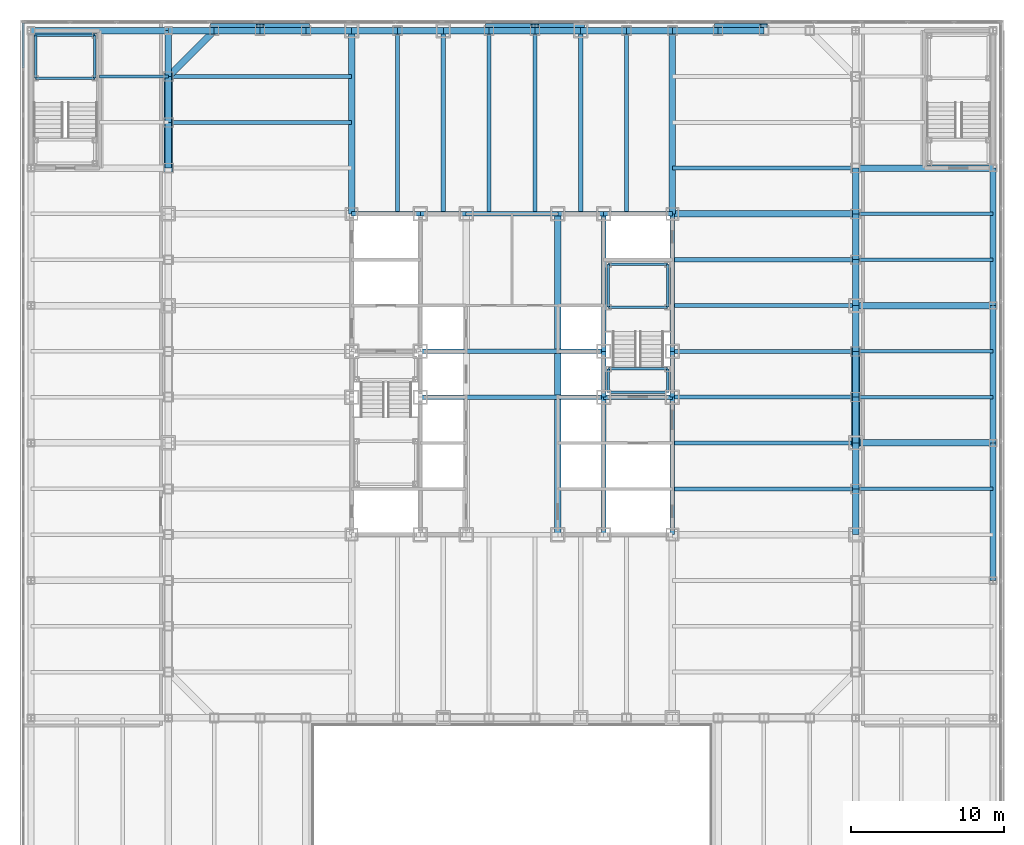
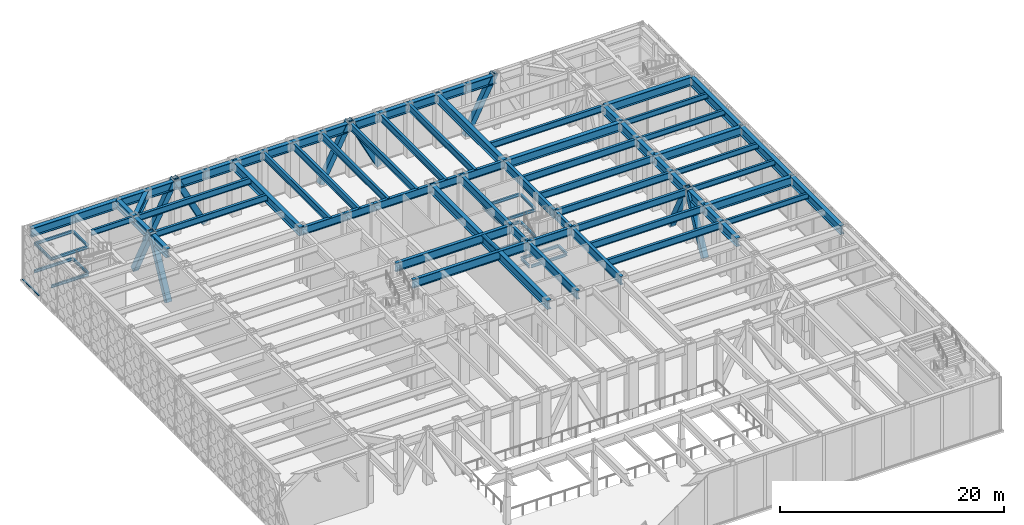
# One storey, part 7 of 32: 92 beams, 10 members, 1 element without a shape of its own.
"""IFC4 building model written with IfcOpenShell, lengths in metres."""

from ifc_helpers import new_model, si_unit, direction, frame, origin, origin_2d, place, context, subcontext, project, spatial, rectangle, hollow_rectangle, i_section, extrude, material, layer, layer_set, material_profile, profile_set, type_object, element, aggregate, save


model = new_model("IFC4")

# Units and contexts
model_context = context("Model", 3, precision=1e-05, world=origin(), true_north=direction((0.0, 1.0)))
body_context = subcontext(model_context, "Body", "Model", "MODEL_VIEW")
ifc_project = project(units=[si_unit("LENGTHUNIT", "METRE"), si_unit("AREAUNIT", "SQUARE_METRE"), si_unit("VOLUMEUNIT", "CUBIC_METRE"), si_unit("PLANEANGLEUNIT", "RADIAN"), si_unit("MASSUNIT", "GRAM", prefix="KILO")], contexts=[model_context])

# Site, building, storey
site_placement = place(None, origin())
site = spatial("IfcSite", under=ifc_project, at=site_placement, CompositionType="ELEMENT")
building_placement = place(site_placement, origin())
building = spatial("IfcBuilding", under=site, at=building_placement, Name="Chuquiago Exchange Tower", CompositionType="ELEMENT")
storey_placement = place(building_placement, frame((0.0, 0.0, 13.5)))
storey = spatial("IfcBuildingStorey", under=building, at=storey_placement, Name="L02", CompositionType="ELEMENT", Elevation=13.5)

# Beams
ifc_material_1 = material(Name="Steel ASTM A992", Category="steel")
ifc_material_profile_1 = material_profile(ifc_material_1, i_section(OverallWidth=0.307373046875, OverallDepth=0.927001953125, WebThickness=0.01953125, FlangeThickness=0.031982421875, at=origin_2d()), Name="W36X194")
ifc_profile_set_1 = profile_set([ifc_material_profile_1], Name="Steel ASTM A992")
beam_type_1 = type_object("IfcBeamType", Name="B10 W36X194", PredefinedType="BEAM", material=ifc_profile_set_1)
for number, where, z_axis, x_axis, name in (
    (1, (28.5, 12.0, 5.33642578125), (0.0, 1.0, 0.0), (-1.0, 0.0, 0.0), "CB-L03-28.5_12-28.5_21"),
    (2, (28.5, 24.0, 5.33642578125), (0.0, 1.0, 0.0), (-1.0, 0.0, 0.0), "CB-L03-28.5_24-28.5_33"),
    (3, (33.0, 12.0, 5.33642578125), (0.0, 1.0, 0.0), (-1.0, 0.0, 0.0), "CB-L03-33_12-33_21"),
    (4, (33.0, 24.0, 5.33642578125), (0.0, 1.0, 0.0), (-1.0, 0.0, 0.0), "CB-L03-33_24-33_33"),
):
    element("IfcBeam", number, at=place(storey_placement, frame(where, z_axis=z_axis, x_axis=x_axis)), inside=storey, type_object=beam_type_1, Name=name, PredefinedType="BEAM", context=body_context, shape_type="SweptSolid", body=[
        extrude(i_section(OverallWidth=0.307373046875, OverallDepth=0.927001953125, WebThickness=0.01953125, FlangeThickness=0.031982421875, at=origin_2d()), origin(), (0.0, 0.0, 1.0), 9.0),
    ])
ifc_material_2 = material(Name="Steel ASTM A992", Category="steel")
ifc_material_profile_2 = material_profile(ifc_material_2, i_section(OverallWidth=0.309814453125, OverallDepth=0.949951171875, WebThickness=0.0244140625, FlangeThickness=0.0439453125, at=origin_2d()), Name="W36X256")
ifc_profile_set_2 = profile_set([ifc_material_profile_2], Name="Steel ASTM A992")
beam_type_2 = type_object("IfcBeamType", Name="B11 W36X256", PredefinedType="BEAM", material=ifc_profile_set_2)
for number, where, z_axis, x_axis, name in (
    (5, (16.5, 21.0, 5.324951171875), (1.0, 0.0, 0.0), (0.0, 1.0, 0.0), "CB-L03-16.5_21-28.5_21"),
    (6, (16.5, 24.0, 5.324951171875), (1.0, 0.0, 0.0), (0.0, 1.0, 0.0), "CB-L03-16.5_24-28.5_24"),
):
    element("IfcBeam", number, at=place(storey_placement, frame(where, z_axis=z_axis, x_axis=x_axis)), inside=storey, type_object=beam_type_2, Name=name, PredefinedType="BEAM", context=body_context, shape_type="SweptSolid", body=[
        extrude(i_section(OverallWidth=0.309814453125, OverallDepth=0.949951171875, WebThickness=0.0244140625, FlangeThickness=0.0439453125, at=origin_2d()), origin(), (0.0, 0.0, 1.0), 12.0),
    ])
ifc_material_3 = material(Name="Steel ASTM A992", Category="steel")
ifc_material_profile_3 = material_profile(ifc_material_3, i_section(OverallWidth=0.4267578125, OverallDepth=0.975341796875, WebThickness=0.031005859375, FlangeThickness=0.055908203125, at=origin_2d()), Name="W36X395")
ifc_profile_set_3 = profile_set([ifc_material_profile_3], Name="Steel ASTM A992")
beam_type_3 = type_object("IfcBeamType", Name="B12 W36X395", PredefinedType="BEAM", material=ifc_profile_set_3)
beam_1_placement = place(storey_placement, frame((25.5, 12.0, 5.312255859375), z_axis=(0.0, 1.0, 0.0), x_axis=(-1.0, 0.0, 0.0)))
element("IfcBeam", 7, at=beam_1_placement, inside=storey, type_object=beam_type_3, Name="CB-L03-25.5_12-25.5_20.8451", PredefinedType="BEAM", context=body_context, shape_type="SweptSolid", body=[
    extrude(i_section(OverallWidth=0.4267578125, OverallDepth=0.975341796875, WebThickness=0.031005859375, FlangeThickness=0.055908203125, at=origin_2d()), origin(), (0.0, 0.0, 1.0), 8.84521484375),
])
beam_2_placement = place(storey_placement, frame((25.5, 21.15478515625, 5.312255859375), z_axis=(0.0, 1.0, 0.0), x_axis=(-1.0, 0.0, 0.0)))
element("IfcBeam", 8, at=beam_2_placement, inside=storey, type_object=beam_type_3, Name="CB-L03-25.5_21.1549-25.5_23.8451", PredefinedType="BEAM", context=body_context, shape_type="SweptSolid", body=[
    extrude(i_section(OverallWidth=0.4267578125, OverallDepth=0.975341796875, WebThickness=0.031005859375, FlangeThickness=0.055908203125, at=origin_2d()), origin(), (0.0, 0.0, 1.0), 2.6904296875),
])
beam_3_placement = place(storey_placement, frame((25.5, 24.15478515625, 5.312255859375), z_axis=(0.0, 1.0, 0.0), x_axis=(-1.0, 0.0, 0.0)))
element("IfcBeam", 9, at=beam_3_placement, inside=storey, type_object=beam_type_3, Name="CB-L03-25.5_24.1549-25.5_33", PredefinedType="BEAM", context=body_context, shape_type="SweptSolid", body=[
    extrude(i_section(OverallWidth=0.4267578125, OverallDepth=0.975341796875, WebThickness=0.031005859375, FlangeThickness=0.055908203125, at=origin_2d()), origin(), (0.0, 0.0, 1.0), 8.84521484375),
])
ifc_material_4 = material(Name="Steel ASTM A992", Category="steel")
ifc_material_profile_4 = material_profile(ifc_material_4, i_section(OverallWidth=0.2919921875, OverallDepth=0.8583984375, WebThickness=0.01708984375, FlangeThickness=0.031005859375, at=origin_2d()), Name="W33X169")
ifc_profile_set_4 = profile_set([ifc_material_profile_4], Name="Steel ASTM A992")
beam_type_4 = type_object("IfcBeamType", Name="B3 W33X169", PredefinedType="BEAM", material=ifc_profile_set_4)
for number, where, z_axis, x_axis, name in (
    (10, (28.5, 21.0, 5.37060546875), (0.0, 1.0, 0.0), (-1.0, 0.0, 0.0), "CB-L03-28.5_21-28.5_24"),
    (11, (33.0, 21.0, 5.37060546875), (0.0, 1.0, 0.0), (-1.0, 0.0, 0.0), "CB-L03-33_21-33_24"),
):
    element("IfcBeam", number, at=place(storey_placement, frame(where, z_axis=z_axis, x_axis=x_axis)), inside=storey, type_object=beam_type_4, Name=name, PredefinedType="BEAM", context=body_context, shape_type="SweptSolid", body=[
        extrude(i_section(OverallWidth=0.2919921875, OverallDepth=0.8583984375, WebThickness=0.01708984375, FlangeThickness=0.031005859375, at=origin_2d()), origin(), (0.0, 0.0, 1.0), 3.0),
    ])
for number, where, z_axis, x_axis, name in (
    (12, (28.5, 21.0, 5.37060546875), (1.0, 0.0, 0.0), (0.0, 1.0, 0.0), "CB-L03-28.5_21-33_21"),
    (13, (12.0, 33.0, 5.37060546875), (1.0, 0.0, 0.0), (0.0, 1.0, 0.0), "CB-L03-12_33-16.5_33"),
):
    element("IfcBeam", number, at=place(storey_placement, frame(where, z_axis=z_axis, x_axis=x_axis)), inside=storey, type_object=beam_type_4, Name=name, PredefinedType="BEAM", context=body_context, shape_type="SweptSolid", body=[
        extrude(i_section(OverallWidth=0.2919921875, OverallDepth=0.8583984375, WebThickness=0.01708984375, FlangeThickness=0.031005859375, at=origin_2d()), origin(), (0.0, 0.0, 1.0), 4.5),
    ])
beam_4_placement = place(storey_placement, frame((16.5, 33.0, 5.37060546875), z_axis=(1.0, 0.0, 0.0), x_axis=(0.0, 1.0, 0.0)))
element("IfcBeam", 14, at=beam_4_placement, inside=storey, type_object=beam_type_4, Name="CB-L03-16.5_33-19.5_33", PredefinedType="BEAM", context=body_context, shape_type="SweptSolid", body=[
    extrude(i_section(OverallWidth=0.2919921875, OverallDepth=0.8583984375, WebThickness=0.01708984375, FlangeThickness=0.031005859375, at=origin_2d()), origin(), (0.0, 0.0, 1.0), 3.0),
])
beam_5_placement = place(storey_placement, frame((19.5, 33.0, 5.37060546875), z_axis=(1.0, 0.0, 0.0), x_axis=(0.0, 1.0, 0.0)))
element("IfcBeam", 15, at=beam_5_placement, inside=storey, type_object=beam_type_4, Name="CB-L03-19.5_33-25.5_33", PredefinedType="BEAM", context=body_context, shape_type="SweptSolid", body=[
    extrude(i_section(OverallWidth=0.2919921875, OverallDepth=0.8583984375, WebThickness=0.01708984375, FlangeThickness=0.031005859375, at=origin_2d()), origin(), (0.0, 0.0, 1.0), 6.0),
])
beam_6_placement = place(storey_placement, frame((25.5, 33.0, 5.37060546875), z_axis=(1.0, 0.0, 0.0), x_axis=(0.0, 1.0, 0.0)))
element("IfcBeam", 16, at=beam_6_placement, inside=storey, type_object=beam_type_4, Name="CB-L03-25.5_33-28.5_33", PredefinedType="BEAM", context=body_context, shape_type="SweptSolid", body=[
    extrude(i_section(OverallWidth=0.2919921875, OverallDepth=0.8583984375, WebThickness=0.01708984375, FlangeThickness=0.031005859375, at=origin_2d()), origin(), (0.0, 0.0, 1.0), 3.0),
])
beam_7_placement = place(storey_placement, frame((28.5, 33.0, 5.37060546875), z_axis=(1.0, 0.0, 0.0), x_axis=(0.0, 1.0, 0.0)))
element("IfcBeam", 17, at=beam_7_placement, inside=storey, type_object=beam_type_4, Name="CB-L03-28.5_33-33_33", PredefinedType="BEAM", context=body_context, shape_type="SweptSolid", body=[
    extrude(i_section(OverallWidth=0.2919921875, OverallDepth=0.8583984375, WebThickness=0.01708984375, FlangeThickness=0.031005859375, at=origin_2d()), origin(), (0.0, 0.0, 1.0), 4.5),
])
ifc_material_5 = material(Name="Steel ASTM A992", Category="steel")
ifc_material_profile_5 = material_profile(ifc_material_5, i_section(OverallWidth=0.2666015625, OverallDepth=0.761962890625, WebThickness=0.014404296875, FlangeThickness=0.021484375, at=origin_2d()), Name="W30X116")
ifc_profile_set_5 = profile_set([ifc_material_profile_5], Name="Steel ASTM A992")
beam_type_5 = type_object("IfcBeamType", Name="B8 W30X116", PredefinedType="BEAM", material=ifc_profile_set_5)
for number, where, z_axis, x_axis, name in (
    (18, (15.0, 33.0, 5.4189453125), (0.0, 1.0, 0.0), (-1.0, 0.0, 0.0), "FB-L03-infill-15_33-15_45-0"),
    (19, (18.0, 33.0, 5.4189453125), (0.0, 1.0, 0.0), (-1.0, 0.0, 0.0), "FB-L03-infill-18_33-18_45-0"),
    (20, (21.0, 33.0, 5.4189453125), (0.0, 1.0, 0.0), (-1.0, 0.0, 0.0), "FB-L03-infill-21_33-21_45-0"),
    (21, (24.0, 33.0, 5.4189453125), (0.0, 1.0, 0.0), (-1.0, 0.0, 0.0), "FB-L03-infill-24_33-24_45-0"),
    (22, (27.0, 33.0, 5.4189453125), (0.0, 1.0, 0.0), (-1.0, 0.0, 0.0), "FB-L03-infill-27_33-27_45-0"),
    (23, (30.0, 33.0, 5.4189453125), (0.0, 1.0, 0.0), (-1.0, 0.0, 0.0), "FB-L03-infill-30_33-30_45-0"),
    (24, (33.0, 15.0, 5.4189453125), (1.0, 0.0, 0.0), (0.0, 1.0, 0.0), "FB-L03-infill-33_15-45_15-0"),
    (25, (33.0, 18.0, 5.4189453125), (1.0, 0.0, 0.0), (0.0, 1.0, 0.0), "FB-L03-infill-33_18-45_18-0"),
    (26, (33.0, 21.0, 5.4189453125), (1.0, 0.0, 0.0), (0.0, 1.0, 0.0), "FB-L03-infill-33_21-45_21-0"),
    (27, (33.0, 24.0, 5.4189453125), (1.0, 0.0, 0.0), (0.0, 1.0, 0.0), "FB-L03-infill-33_24-45_24-0"),
    (28, (33.0, 27.0, 5.4189453125), (1.0, 0.0, 0.0), (0.0, 1.0, 0.0), "FB-L03-infill-33_27-45_27-0"),
    (29, (33.0, 30.0, 5.4189453125), (1.0, 0.0, 0.0), (0.0, 1.0, 0.0), "FB-L03-infill-33_30-45_30-0"),
):
    element("IfcBeam", number, at=place(storey_placement, frame(where, z_axis=z_axis, x_axis=x_axis)), inside=storey, type_object=beam_type_5, Name=name, PredefinedType="BEAM", context=body_context, shape_type="SweptSolid", body=[
        extrude(i_section(OverallWidth=0.2666015625, OverallDepth=0.761962890625, WebThickness=0.014404296875, FlangeThickness=0.021484375, at=origin_2d()), origin(), (0.0, 0.0, 1.0), 12.0),
    ])
ifc_material_6 = material(Name="Steel ASTM A992", Category="steel")
ifc_material_profile_6 = material_profile(ifc_material_6, i_section(OverallWidth=0.256591796875, OverallDepth=0.693359375, WebThickness=0.014404296875, FlangeThickness=0.023681640625, at=origin_2d()), Name="W27X114")
ifc_profile_set_6 = profile_set([ifc_material_profile_6], Name="Steel ASTM A992")
beam_type_6 = type_object("IfcBeamType", Name="B9 W27X114", PredefinedType="BEAM", material=ifc_profile_set_6)
for number, where, z_axis, x_axis, name in (
    (30, (12.0, 39.0, 5.453369140625), (-1.0, 0.0, 0.0), (0.0, -1.0, 0.0), "FB-L03-corner-12_39--0_39-0"),
    (31, (12.0, 42.0, 5.453369140625), (-1.0, 0.0, 0.0), (0.0, -1.0, 0.0), "FB-L03-corner-12_42--0_42-0"),
    (32, (33.0, 36.0, 5.453369140625), (1.0, 0.0, 0.0), (0.0, 1.0, 0.0), "FB-L03-corner-33_36-45_36-0"),
):
    element("IfcBeam", number, at=place(storey_placement, frame(where, z_axis=z_axis, x_axis=x_axis)), inside=storey, type_object=beam_type_6, Name=name, PredefinedType="BEAM", context=body_context, shape_type="SweptSolid", body=[
        extrude(i_section(OverallWidth=0.256591796875, OverallDepth=0.693359375, WebThickness=0.014404296875, FlangeThickness=0.023681640625, at=origin_2d()), origin(), (0.0, 0.0, 1.0), 12.0),
    ])

# Curtain wall, member
ifc_material_7 = material(Name="Aluminium curtain wall system", Category="aluminium")
ifc_layer = layer(ifc_material_7, 0.300048828125)
ifc_layer_set = layer_set([ifc_layer], Name="CW4 podium curtain wall")
curtain_wall_type = type_object("IfcCurtainWallType", Name="CW4 podium curtain wall", PredefinedType="NOTDEFINED", material=ifc_layer_set)
curtain_wall_placement = place(storey_placement, origin())
curtain_wall = element("IfcCurtainWall", 33, at=curtain_wall_placement, inside=storey, type_object=curtain_wall_type, Name="CW4 curtain wall L02", PredefinedType="NOTDEFINED")
ifc_material_8 = material(Name="Aluminium transom, pale anodised", Category="aluminium")
ifc_material_profile_7 = material_profile(ifc_material_8, rectangle(XDim=0.179931640625, YDim=0.074951171875, at=origin_2d()), Name="AL 180x75")
ifc_profile_set_7 = profile_set([ifc_material_profile_7], Name="Aluminium transom, pale anodised")
member_type_1 = type_object("IfcMemberType", Name="CW4-T transom 75x180", PredefinedType="MULLION", material=ifc_profile_set_7)
member_placement = place(storey_placement, frame((-9.5, 45.5, 0.03759765625), z_axis=(0.0, -1.0, 0.0), x_axis=(1.0, 0.0, 0.0)))
member = element("IfcMember", 34, at=member_placement, type_object=member_type_1, Name="CW4 transom 1.1", PredefinedType="MULLION", context=body_context, shape_type="SweptSolid", body=[
    extrude(rectangle(XDim=0.179931640625, YDim=0.074951171875, at=origin_2d()), origin(), (0.0, 0.0, 1.0), 2.938720703125),
])
aggregate(curtain_wall, [member])

# Beams
ifc_material_9 = material(Name="Steel ASTM A992", Category="steel")
ifc_material_profile_8 = material_profile(ifc_material_9, i_section(OverallWidth=0.424072265625, OverallDepth=0.947509765625, WebThickness=0.02392578125, FlangeThickness=0.042724609375, at=origin_2d()), Name="W36X302")
ifc_profile_set_8 = profile_set([ifc_material_profile_8], Name="Steel ASTM A992")
beam_type_7 = type_object("IfcBeamType", Name="G4 W36X302", PredefinedType="BEAM", material=ifc_profile_set_8)
for number, where, z_axis, x_axis, name in (
    (35, (12.0, 33.0, 5.326416015625), (0.0, 1.0, 0.0), (-1.0, 0.0, 0.0), "FB-L03-girder-12_33-12_45-0"),
    (36, (33.0, 33.0, 5.326416015625), (0.0, 1.0, 0.0), (-1.0, 0.0, 0.0), "FB-L03-girder-33_33-33_45-0"),
    (37, (33.0, 33.0, 5.326416015625), (1.0, 0.0, 0.0), (0.0, 1.0, 0.0), "FB-L03-girder-33_33-45_33-0"),
):
    element("IfcBeam", number, at=place(storey_placement, frame(where, z_axis=z_axis, x_axis=x_axis)), inside=storey, type_object=beam_type_7, Name=name, PredefinedType="BEAM", context=body_context, shape_type="SweptSolid", body=[
        extrude(i_section(OverallWidth=0.424072265625, OverallDepth=0.947509765625, WebThickness=0.02392578125, FlangeThickness=0.042724609375, at=origin_2d()), origin(), (0.0, 0.0, 1.0), 12.0),
    ])
ifc_material_10 = material(Name="Steel ASTM A992", Category="steel")
ifc_material_profile_9 = material_profile(ifc_material_10, i_section(OverallWidth=0.164794921875, OverallDepth=0.309814453125, WebThickness=0.005859375, FlangeThickness=0.009765625, at=origin_2d()), Name="W12X26")
ifc_profile_set_9 = profile_set([ifc_material_profile_9], Name="Steel ASTM A992")
beam_type_8 = type_object("IfcBeamType", Name="LS1 W12X26", PredefinedType="BEAM", material=ifc_profile_set_9)
for number, where, z_axis, x_axis, name in (
    (38, (28.81005859375, 26.889892578125, 1.14501953125), (0.0, 1.0, 0.0), (-1.0, 0.0, 0.0), "Stair ST2 L02 landing 1 stringer"),
    (39, (32.68994140625, 26.889892578125, 1.14501953125), (0.0, 1.0, 0.0), (-1.0, 0.0, 0.0), "Stair ST2 L02 landing 1 stringer"),
):
    element("IfcBeam", number, at=place(storey_placement, frame(where, z_axis=z_axis, x_axis=x_axis)), inside=storey, type_object=beam_type_8, Name=name, PredefinedType="BEAM", context=body_context, shape_type="SweptSolid", body=[
        extrude(i_section(OverallWidth=0.164794921875, OverallDepth=0.309814453125, WebThickness=0.005859375, FlangeThickness=0.009765625, at=origin_2d()), origin(), (0.0, 0.0, 1.0), 2.800048828125),
    ])
for number, where, z_axis, x_axis, name in (
    (40, (28.81005859375, 21.31005859375, 2.64501953125), (0.0, 1.0, 0.0), (-1.0, 0.0, 0.0), "Stair ST2 L02 landing 2 stringer"),
    (41, (32.68994140625, 21.31005859375, 2.64501953125), (0.0, 1.0, 0.0), (-1.0, 0.0, 0.0), "Stair ST2 L02 landing 2 stringer"),
):
    element("IfcBeam", number, at=place(storey_placement, frame(where, z_axis=z_axis, x_axis=x_axis)), inside=storey, type_object=beam_type_8, Name=name, PredefinedType="BEAM", context=body_context, shape_type="SweptSolid", body=[
        extrude(i_section(OverallWidth=0.164794921875, OverallDepth=0.309814453125, WebThickness=0.005859375, FlangeThickness=0.009765625, at=origin_2d()), origin(), (0.0, 0.0, 1.0), 1.5400390625),
    ])
for number, where, z_axis, x_axis, name in (
    (42, (28.81005859375, 26.889892578125, 4.14501953125), (0.0, 1.0, 0.0), (-1.0, 0.0, 0.0), "Stair ST2 L02 landing 3 stringer"),
    (43, (32.68994140625, 26.889892578125, 4.14501953125), (0.0, 1.0, 0.0), (-1.0, 0.0, 0.0), "Stair ST2 L02 landing 3 stringer"),
    (44, (-4.81005859375, 41.889892578125, 1.14501953125), (0.0, 1.0, 0.0), (-1.0, 0.0, 0.0), "Stair PS3 L02 landing 1 stringer"),
    (45, (-8.68994140625, 41.889892578125, 4.14501953125), (0.0, 1.0, 0.0), (-1.0, 0.0, 0.0), "Stair PS3 L02 landing 3 stringer"),
    (46, (-4.81005859375, 41.889892578125, 4.14501953125), (0.0, 1.0, 0.0), (-1.0, 0.0, 0.0), "Stair PS3 L02 landing 3 stringer"),
):
    element("IfcBeam", number, at=place(storey_placement, frame(where, z_axis=z_axis, x_axis=x_axis)), inside=storey, type_object=beam_type_8, Name=name, PredefinedType="BEAM", context=body_context, shape_type="SweptSolid", body=[
        extrude(i_section(OverallWidth=0.164794921875, OverallDepth=0.309814453125, WebThickness=0.005859375, FlangeThickness=0.009765625, at=origin_2d()), origin(), (0.0, 0.0, 1.0), 2.800048828125),
    ])
ifc_material_11 = material(Name="Steel ASTM A992", Category="steel")
ifc_material_profile_10 = material_profile(ifc_material_11, i_section(OverallWidth=0.164794921875, OverallDepth=0.309814453125, WebThickness=0.005859375, FlangeThickness=0.009765625, at=origin_2d()), Name="W12X26")
ifc_profile_set_10 = profile_set([ifc_material_profile_10], Name="Steel ASTM A992")
beam_type_9 = type_object("IfcBeamType", Name="LT1 W12X26", PredefinedType="BEAM", material=ifc_profile_set_10)
for number, where, z_axis, x_axis, name in (
    (47, (28.81005859375, 29.68994140625, 1.14501953125), (1.0, 0.0, 0.0), (0.0, 1.0, 0.0), "Stair ST2 L02 landing 1 trimmer"),
    (48, (28.81005859375, 26.889892578125, 1.14501953125), (1.0, 0.0, 0.0), (0.0, 1.0, 0.0), "Stair ST2 L02 landing 1 trimmer"),
    (49, (28.81005859375, 22.85009765625, 2.64501953125), (1.0, 0.0, 0.0), (0.0, 1.0, 0.0), "Stair ST2 L02 landing 2 trimmer"),
):
    element("IfcBeam", number, at=place(storey_placement, frame(where, z_axis=z_axis, x_axis=x_axis)), inside=storey, type_object=beam_type_9, Name=name, PredefinedType="BEAM", context=body_context, shape_type="SweptSolid", body=[
        extrude(i_section(OverallWidth=0.164794921875, OverallDepth=0.309814453125, WebThickness=0.005859375, FlangeThickness=0.009765625, at=origin_2d()), origin(), (0.0, 0.0, 1.0), 3.8798828125),
    ])
beam_8_placement = place(storey_placement, frame((28.955078125, 21.31005859375, 2.64501953125), z_axis=(1.0, 0.0, 0.0), x_axis=(0.0, 1.0, 0.0)))
element("IfcBeam", 50, at=beam_8_placement, inside=storey, type_object=beam_type_9, Name="Stair ST2 L02 landing 2 trimmer", PredefinedType="BEAM", context=body_context, shape_type="SweptSolid", body=[
    extrude(i_section(OverallWidth=0.164794921875, OverallDepth=0.309814453125, WebThickness=0.005859375, FlangeThickness=0.009765625, at=origin_2d()), origin(), (0.0, 0.0, 1.0), 3.58984375),
])
for number, where, z_axis, x_axis, name in (
    (51, (28.81005859375, 29.68994140625, 4.14501953125), (1.0, 0.0, 0.0), (0.0, 1.0, 0.0), "Stair ST2 L02 landing 3 trimmer"),
    (52, (28.81005859375, 26.889892578125, 4.14501953125), (1.0, 0.0, 0.0), (0.0, 1.0, 0.0), "Stair ST2 L02 landing 3 trimmer"),
):
    element("IfcBeam", number, at=place(storey_placement, frame(where, z_axis=z_axis, x_axis=x_axis)), inside=storey, type_object=beam_type_9, Name=name, PredefinedType="BEAM", context=body_context, shape_type="SweptSolid", body=[
        extrude(i_section(OverallWidth=0.164794921875, OverallDepth=0.309814453125, WebThickness=0.005859375, FlangeThickness=0.009765625, at=origin_2d()), origin(), (0.0, 0.0, 1.0), 3.8798828125),
    ])
beam_9_placement = place(storey_placement, frame((-8.814208984375, 44.68994140625, 1.14501953125), z_axis=(1.0, 0.0, 0.0), x_axis=(0.0, 1.0, 0.0)))
element("IfcBeam", 53, at=beam_9_placement, inside=storey, type_object=beam_type_9, Name="Stair PS3 L02 landing 1 trimmer", PredefinedType="BEAM", context=body_context, shape_type="SweptSolid", body=[
    extrude(i_section(OverallWidth=0.164794921875, OverallDepth=0.309814453125, WebThickness=0.005859375, FlangeThickness=0.009765625, at=origin_2d()), origin(), (0.0, 0.0, 1.0), 4.004150390625),
])
beam_10_placement = place(storey_placement, frame((-8.68994140625, 41.889892578125, 1.14501953125), z_axis=(1.0, 0.0, 0.0), x_axis=(0.0, 1.0, 0.0)))
element("IfcBeam", 54, at=beam_10_placement, inside=storey, type_object=beam_type_9, Name="Stair PS3 L02 landing 1 trimmer", PredefinedType="BEAM", context=body_context, shape_type="SweptSolid", body=[
    extrude(i_section(OverallWidth=0.164794921875, OverallDepth=0.309814453125, WebThickness=0.005859375, FlangeThickness=0.009765625, at=origin_2d()), origin(), (0.0, 0.0, 1.0), 3.8798828125),
])
beam_11_placement = place(storey_placement, frame((-8.814208984375, 44.68994140625, 4.14501953125), z_axis=(1.0, 0.0, 0.0), x_axis=(0.0, 1.0, 0.0)))
element("IfcBeam", 55, at=beam_11_placement, inside=storey, type_object=beam_type_9, Name="Stair PS3 L02 landing 3 trimmer", PredefinedType="BEAM", context=body_context, shape_type="SweptSolid", body=[
    extrude(i_section(OverallWidth=0.164794921875, OverallDepth=0.309814453125, WebThickness=0.005859375, FlangeThickness=0.009765625, at=origin_2d()), origin(), (0.0, 0.0, 1.0), 4.004150390625),
])
beam_12_placement = place(storey_placement, frame((-8.68994140625, 41.889892578125, 4.14501953125), z_axis=(1.0, 0.0, 0.0), x_axis=(0.0, 1.0, 0.0)))
element("IfcBeam", 56, at=beam_12_placement, inside=storey, type_object=beam_type_9, Name="Stair PS3 L02 landing 3 trimmer", PredefinedType="BEAM", context=body_context, shape_type="SweptSolid", body=[
    extrude(i_section(OverallWidth=0.164794921875, OverallDepth=0.309814453125, WebThickness=0.005859375, FlangeThickness=0.009765625, at=origin_2d()), origin(), (0.0, 0.0, 1.0), 3.8798828125),
])

# Members
ifc_material_12 = material(Name="Steel ASTM A572 Grade 50", Category="steel")
ifc_material_profile_11 = material_profile(ifc_material_12, hollow_rectangle(XDim=0.550048828125, YDim=0.550048828125, WallThickness=0.044921875, at=origin_2d()), Name="BOX550X550X45")
ifc_profile_set_11 = profile_set([ifc_material_profile_11], Name="Steel ASTM A572 Grade 50")
member_type_2 = type_object("IfcMemberType", Name="MB1 BOX550X550X45", PredefinedType="BRACE", material=ifc_profile_set_11)
for number, where, z_axis, x_axis, name in (
    (57, (45.0, 18.0, 0.0), (0.0, 0.456929540486, 0.889502892087), (-1.0, 0.0, 0.0), "Mega diagonal L02 E face"),
    (58, (45.0, 24.0, 0.0), (0.0, -0.456929540486, 0.889502892087), (1.0, 0.0, 0.0), "Mega diagonal L02 E face"),
    (59, (36.0, 45.205078125, 0.0), (0.456929540486, 0.0, 0.889502892087), (0.0, 1.0, 0.0), "Mega diagonal L02 N face"),
    (60, (27.0, 45.205078125, 0.0), (-0.456929540486, 0.0, 0.889502892087), (0.0, -1.0, 0.0), "Mega diagonal L02 N face"),
    (61, (21.0, 45.205078125, 0.0), (0.456929540486, 0.0, 0.889502892087), (0.0, 1.0, 0.0), "Mega diagonal L02 N face"),
    (62, (9.0, 45.205078125, 0.0), (-0.456929540486, 0.0, 0.889502892087), (0.0, -1.0, 0.0), "Mega diagonal L02 N face"),
    (63, (3.0, 45.205078125, 0.0), (0.456929540486, 0.0, 0.889502892087), (0.0, 1.0, 0.0), "Mega diagonal L02 N face"),
    (64, (0.0, 42.0, 0.0), (0.0, -0.456929540486, 0.889502892087), (1.0, 0.0, 0.0), "Mega diagonal L02 W face"),
    (65, (0.0, 36.0, 0.0), (0.0, 0.456929540486, 0.889502892087), (-1.0, 0.0, 0.0), "Mega diagonal L02 W face"),
):
    element("IfcMember", number, at=place(storey_placement, frame(where, z_axis=z_axis, x_axis=x_axis)), inside=storey, type_object=member_type_2, Name=name, PredefinedType="BRACE", context=body_context, shape_type="SweptSolid", body=[
        extrude(hollow_rectangle(XDim=0.550048828125, YDim=0.550048828125, WallThickness=0.044921875, at=origin_2d()), origin(), (0.0, 0.0, 1.0), 6.565673828125),
    ])

# Beams
ifc_material_13 = material(Name="Steel ASTM A992", Category="steel")
ifc_material_profile_12 = material_profile(ifc_material_13, i_section(OverallWidth=0.227783203125, OverallDepth=0.60205078125, WebThickness=0.010498046875, FlangeThickness=0.014892578125, at=origin_2d()), Name="W24X68")
ifc_profile_set_12 = profile_set([ifc_material_profile_12], Name="Steel ASTM A992")
beam_type_10 = type_object("IfcBeamType", Name="PB1 W24X68", PredefinedType="BEAM", material=ifc_profile_set_12)
for number, where, z_axis, x_axis, name in (
    (66, (45.0, 15.0, 5.4990234375), (1.0, 0.0, 0.0), (0.0, 1.0, 0.0), "PB-L03-45_15"),
    (67, (45.0, 21.0, 5.4990234375), (1.0, 0.0, 0.0), (0.0, 1.0, 0.0), "PB-L03-45_21"),
    (68, (45.0, 24.0, 5.4990234375), (1.0, 0.0, 0.0), (0.0, 1.0, 0.0), "PB-L03-45_24"),
    (69, (45.0, 30.0, 5.4990234375), (1.0, 0.0, 0.0), (0.0, 1.0, 0.0), "PB-L03-45_30"),
    (70, (45.0, 33.0, 5.4990234375), (1.0, 0.0, 0.0), (0.0, 1.0, 0.0), "PB-L03-45_33"),
):
    element("IfcBeam", number, at=place(storey_placement, frame(where, z_axis=z_axis, x_axis=x_axis)), inside=storey, type_object=beam_type_10, Name=name, PredefinedType="BEAM", context=body_context, shape_type="SweptSolid", body=[
        extrude(i_section(OverallWidth=0.227783203125, OverallDepth=0.60205078125, WebThickness=0.010498046875, FlangeThickness=0.014892578125, at=origin_2d()), origin(), (0.0, 0.0, 1.0), 9.0),
    ])
beam_13_placement = place(storey_placement, frame((-4.5, 42.0, 5.4990234375), z_axis=(1.0, 0.0, 0.0), x_axis=(0.0, 1.0, 0.0)))
element("IfcBeam", 71, at=beam_13_placement, inside=storey, type_object=beam_type_10, Name="PB-L03--4.5_42", PredefinedType="BEAM", context=body_context, shape_type="SweptSolid", body=[
    extrude(i_section(OverallWidth=0.227783203125, OverallDepth=0.60205078125, WebThickness=0.010498046875, FlangeThickness=0.014892578125, at=origin_2d()), origin(), (0.0, 0.0, 1.0), 4.5),
])
ifc_material_14 = material(Name="Steel ASTM A992", Category="steel")
ifc_material_profile_13 = material_profile(ifc_material_14, i_section(OverallWidth=0.424072265625, OverallDepth=0.947509765625, WebThickness=0.02392578125, FlangeThickness=0.042724609375, at=origin_2d()), Name="W36X302")
ifc_profile_set_13 = profile_set([ifc_material_profile_13], Name="Steel ASTM A992")
beam_type_11 = type_object("IfcBeamType", Name="PG1 W36X302", PredefinedType="BEAM", material=ifc_profile_set_13)
beam_14_placement = place(storey_placement, frame((0.0, 42.0, 5.326416015625), z_axis=(0.0, 1.0, 0.0), x_axis=(-1.0, 0.0, 0.0)))
element("IfcBeam", 72, at=beam_14_placement, inside=storey, type_object=beam_type_11, Name="PG-L03-0_42-0_45", PredefinedType="BEAM", context=body_context, shape_type="SweptSolid", body=[
    extrude(i_section(OverallWidth=0.424072265625, OverallDepth=0.947509765625, WebThickness=0.02392578125, FlangeThickness=0.042724609375, at=origin_2d()), origin(), (0.0, 0.0, 1.0), 3.0),
])
for number, where, z_axis, x_axis, name in (
    (73, (54.0, 9.0, 5.326416015625), (0.0, 1.0, 0.0), (-1.0, 0.0, 0.0), "PG-L03-54_9-54_18"),
    (74, (54.0, 18.0, 5.326416015625), (0.0, 1.0, 0.0), (-1.0, 0.0, 0.0), "PG-L03-54_18-54_27"),
    (75, (54.0, 27.0, 5.326416015625), (0.0, 1.0, 0.0), (-1.0, 0.0, 0.0), "PG-L03-54_27-54_36"),
    (76, (45.0, 18.0, 5.326416015625), (1.0, 0.0, 0.0), (0.0, 1.0, 0.0), "PG-L03-45_18-54_18"),
    (77, (45.0, 27.0, 5.326416015625), (1.0, 0.0, 0.0), (0.0, 1.0, 0.0), "PG-L03-45_27-54_27"),
    (78, (45.0, 36.0, 5.326416015625), (1.0, 0.0, 0.0), (0.0, 1.0, 0.0), "PG-L03-45_36-54_36"),
    (79, (-9.0, 45.0, 5.326416015625), (1.0, 0.0, 0.0), (0.0, 1.0, 0.0), "PG-L03--9_45-0_45"),
):
    element("IfcBeam", number, at=place(storey_placement, frame(where, z_axis=z_axis, x_axis=x_axis)), inside=storey, type_object=beam_type_11, Name=name, PredefinedType="BEAM", context=body_context, shape_type="SweptSolid", body=[
        extrude(i_section(OverallWidth=0.424072265625, OverallDepth=0.947509765625, WebThickness=0.02392578125, FlangeThickness=0.042724609375, at=origin_2d()), origin(), (0.0, 0.0, 1.0), 9.0),
    ])
beam_15_placement = place(storey_placement, frame((0.0, 45.0, 5.326416015625), z_axis=(1.0, 0.0, 0.0), x_axis=(0.0, 1.0, 0.0)))
element("IfcBeam", 80, at=beam_15_placement, inside=storey, type_object=beam_type_11, Name="PG-L03-0_45-3_45", PredefinedType="BEAM", context=body_context, shape_type="SweptSolid", body=[
    extrude(i_section(OverallWidth=0.424072265625, OverallDepth=0.947509765625, WebThickness=0.02392578125, FlangeThickness=0.042724609375, at=origin_2d()), origin(), (0.0, 0.0, 1.0), 3.0),
])
ifc_material_15 = material(Name="Steel ASTM A992", Category="steel")
ifc_material_profile_14 = material_profile(ifc_material_15, i_section(OverallWidth=0.4267578125, OverallDepth=0.95751953125, WebThickness=0.028564453125, FlangeThickness=0.050048828125, at=origin_2d()), Name="W36X361")
ifc_profile_set_14 = profile_set([ifc_material_profile_14], Name="Steel ASTM A992")
beam_type_12 = type_object("IfcBeamType", Name="SP1 W36X361", PredefinedType="SPANDREL", material=ifc_profile_set_14)
for number, where, z_axis, x_axis, name in (
    (81, (45.0, 12.0, 5.3212890625), (0.0, 1.0, 0.0), (-1.0, 0.0, 0.0), "SPB-L03-45_12-45_15"),
    (82, (45.0, 15.0, 5.3212890625), (0.0, 1.0, 0.0), (-1.0, 0.0, 0.0), "SPB-L03-45_15-45_18"),
    (83, (45.0, 18.0, 5.3212890625), (0.0, 1.0, 0.0), (-1.0, 0.0, 0.0), "SPB-L03-45_18-45_21"),
    (84, (45.0, 21.0, 5.3212890625), (0.0, 1.0, 0.0), (-1.0, 0.0, 0.0), "SPB-L03-45_21-45_24"),
    (85, (45.0, 24.0, 5.3212890625), (0.0, 1.0, 0.0), (-1.0, 0.0, 0.0), "SPB-L03-45_24-45_27"),
    (86, (45.0, 27.0, 5.3212890625), (0.0, 1.0, 0.0), (-1.0, 0.0, 0.0), "SPB-L03-45_27-45_30"),
    (87, (45.0, 30.0, 5.3212890625), (0.0, 1.0, 0.0), (-1.0, 0.0, 0.0), "SPB-L03-45_30-45_33"),
    (88, (45.0, 33.0, 5.3212890625), (0.0, 1.0, 0.0), (-1.0, 0.0, 0.0), "SPB-L03-45_33-45_36"),
    (89, (39.0, 45.0, 5.3212890625), (-1.0, 0.0, 0.0), (0.0, -1.0, 0.0), "SPB-L03-39_45-36_45"),
    (90, (36.0, 45.0, 5.3212890625), (-1.0, 0.0, 0.0), (0.0, -1.0, 0.0), "SPB-L03-36_45-33_45"),
    (91, (33.0, 45.0, 5.3212890625), (-1.0, 0.0, 0.0), (0.0, -1.0, 0.0), "SPB-L03-33_45-30_45"),
    (92, (30.0, 45.0, 5.3212890625), (-1.0, 0.0, 0.0), (0.0, -1.0, 0.0), "SPB-L03-30_45-27_45"),
    (93, (27.0, 45.0, 5.3212890625), (-1.0, 0.0, 0.0), (0.0, -1.0, 0.0), "SPB-L03-27_45-24_45"),
    (94, (24.0, 45.0, 5.3212890625), (-1.0, 0.0, 0.0), (0.0, -1.0, 0.0), "SPB-L03-24_45-21_45"),
    (95, (21.0, 45.0, 5.3212890625), (-1.0, 0.0, 0.0), (0.0, -1.0, 0.0), "SPB-L03-21_45-18_45"),
    (96, (18.0, 45.0, 5.3212890625), (-1.0, 0.0, 0.0), (0.0, -1.0, 0.0), "SPB-L03-18_45-15_45"),
    (97, (15.0, 45.0, 5.3212890625), (-1.0, 0.0, 0.0), (0.0, -1.0, 0.0), "SPB-L03-15_45-12_45"),
    (98, (12.0, 45.0, 5.3212890625), (-1.0, 0.0, 0.0), (0.0, -1.0, 0.0), "SPB-L03-12_45-9_45"),
    (99, (9.0, 45.0, 5.3212890625), (-1.0, 0.0, 0.0), (0.0, -1.0, 0.0), "SPB-L03-9_45-6_45"),
    (100, (6.0, 45.0, 5.3212890625), (-1.0, 0.0, 0.0), (0.0, -1.0, 0.0), "SPB-L03-6_45-3_45"),
):
    element("IfcBeam", number, at=place(storey_placement, frame(where, z_axis=z_axis, x_axis=x_axis)), inside=storey, type_object=beam_type_12, Name=name, PredefinedType="SPANDREL", context=body_context, shape_type="SweptSolid", body=[
        extrude(i_section(OverallWidth=0.4267578125, OverallDepth=0.95751953125, WebThickness=0.028564453125, FlangeThickness=0.050048828125, at=origin_2d()), origin(), (0.0, 0.0, 1.0), 3.0),
    ])
beam_16_placement = place(storey_placement, frame((3.0, 45.0, 5.3212890625), z_axis=(-0.707106781187, -0.707106781187, 0.0), x_axis=(0.707106781187, -0.707106781187, 0.0)))
element("IfcBeam", 101, at=beam_16_placement, inside=storey, type_object=beam_type_12, Name="SPB-L03-3_45-0_42", PredefinedType="SPANDREL", context=body_context, shape_type="SweptSolid", body=[
    extrude(i_section(OverallWidth=0.4267578125, OverallDepth=0.95751953125, WebThickness=0.028564453125, FlangeThickness=0.050048828125, at=origin_2d()), origin(), (0.0, 0.0, 1.0), 4.24267578125),
])
for number, where, z_axis, x_axis, name in (
    (102, (0.0, 42.0, 5.3212890625), (0.0, -1.0, 0.0), (1.0, 0.0, 0.0), "SPB-L03-0_42-0_39"),
    (103, (0.0, 39.0, 5.3212890625), (0.0, -1.0, 0.0), (1.0, 0.0, 0.0), "SPB-L03-0_39-0_36"),
):
    element("IfcBeam", number, at=place(storey_placement, frame(where, z_axis=z_axis, x_axis=x_axis)), inside=storey, type_object=beam_type_12, Name=name, PredefinedType="SPANDREL", context=body_context, shape_type="SweptSolid", body=[
        extrude(i_section(OverallWidth=0.4267578125, OverallDepth=0.95751953125, WebThickness=0.028564453125, FlangeThickness=0.050048828125, at=origin_2d()), origin(), (0.0, 0.0, 1.0), 3.0),
    ])

save(model, "model.ifc")
